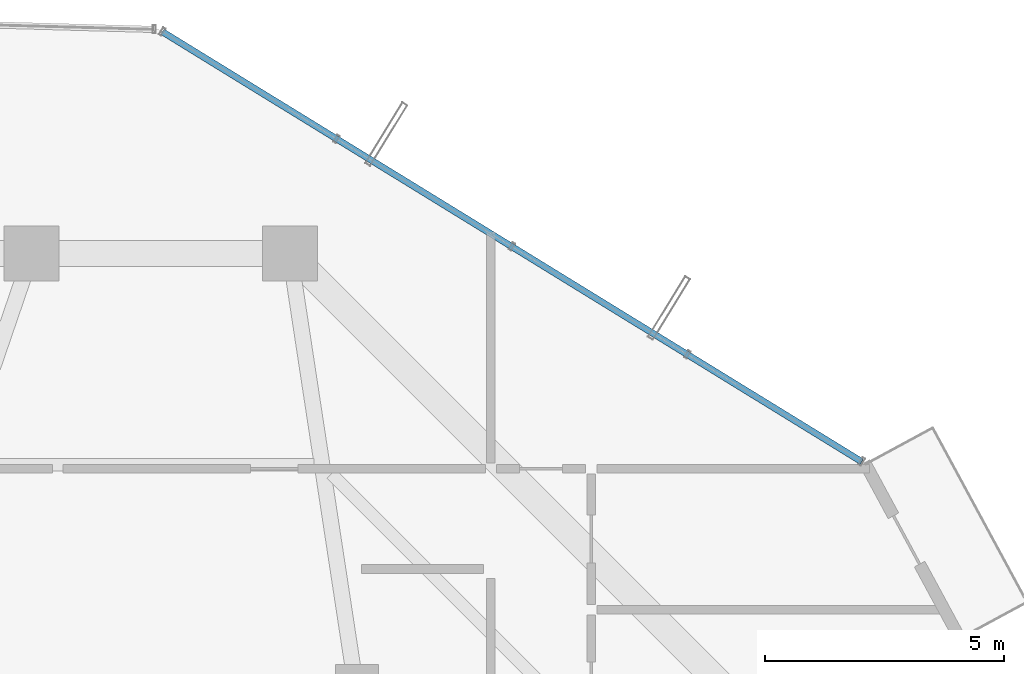
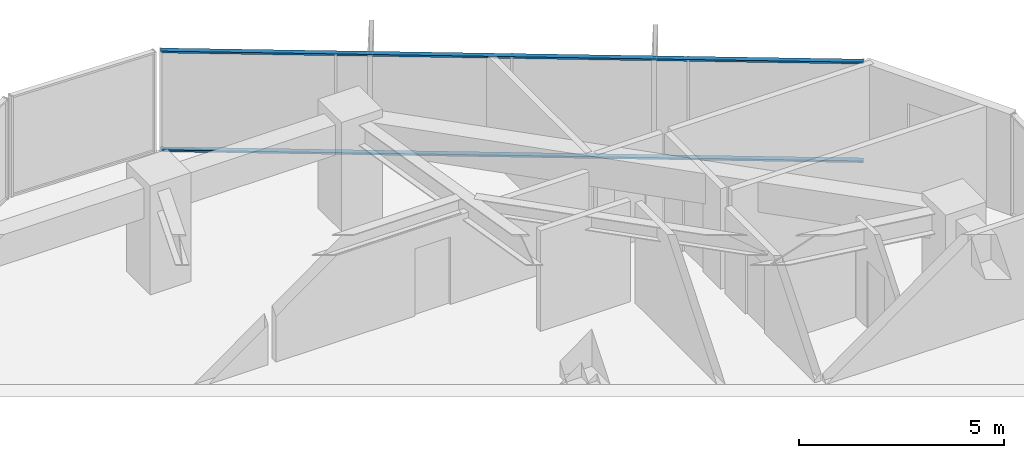
# One storey, part 22 of 30: 2 members, 1 element without a shape of its own.
"""IFC4 building model written with IfcOpenShell, lengths in metres."""

from ifc_helpers import new_model, si_unit, direction, frame, origin, origin_2d, place, context, subcontext, project, spatial, hollow_rectangle, extrude, source, transform, mapped, material, layer, layer_set, material_profile, profile_set, type_object, element, aggregate, save


model = new_model("IFC4")

# Units and contexts
model_context = context("Model", 3, precision=1e-05, world=origin(), true_north=direction((0.0, 1.0)))
body_context = subcontext(model_context, "Body", "Model", "MODEL_VIEW")
ifc_project = project(units=[si_unit("LENGTHUNIT", "METRE"), si_unit("AREAUNIT", "SQUARE_METRE"), si_unit("VOLUMEUNIT", "CUBIC_METRE"), si_unit("PLANEANGLEUNIT", "RADIAN"), si_unit("MASSUNIT", "GRAM", prefix="KILO")], contexts=[model_context])

# Site, building, storey
site_placement = place(None, origin())
site = spatial("IfcSite", under=ifc_project, at=site_placement, CompositionType="ELEMENT")
building_placement = place(site_placement, origin())
building = spatial("IfcBuilding", under=site, at=building_placement, Name="Veraguas Prism Commons", CompositionType="ELEMENT")
storey_placement = place(building_placement, frame((0.0, 0.0, 123.0)))
storey = spatial("IfcBuildingStorey", under=building, at=storey_placement, Name="L34", CompositionType="ELEMENT", Elevation=123.0)

# Curtain wall, members
ifc_material = material(Name="Anodised aluminium EN AW-6063 T6", Category="aluminium")
ifc_layer = layer(ifc_material, 0.169921875, Name="Unitised Flush Curtain Wall Zone 2", Category="aluminium")
ifc_layer_set = layer_set([ifc_layer], Name="Anodised aluminium EN AW-6063 T6")
curtain_wall_type = type_object("IfcCurtainWallType", Name="Unitised Flush Curtain Wall Zone 2", PredefinedType="NOTDEFINED", material=ifc_layer_set)
curtain_wall_placement = place(storey_placement, origin())
curtain_wall = element("IfcCurtainWall", 1, at=curtain_wall_placement, inside=storey, type_object=curtain_wall_type, Name="Tower Facade Curtain Wall L34-F1", PredefinedType="NOTDEFINED")
ifc_material_profile = material_profile(ifc_material, hollow_rectangle(XDim=0.054931640625, YDim=0.135009765625, WallThickness=0.0029296875, at=origin_2d()), Name="AL55X135X3")
ifc_profile_set = profile_set([ifc_material_profile], Name="Anodised aluminium EN AW-6063 T6")
member_type = type_object("IfcMemberType", Name="Curtain Wall Transom Standard AL 55x135x3", PredefinedType="USERDEFINED", material=ifc_profile_set)
shared_shape = source(origin(), body_context, "Body", "SweptSolid", [
    extrude(hollow_rectangle(XDim=0.054931640625, YDim=0.135009765625, WallThickness=0.0029296875, at=origin_2d()), origin(), (0.0, 0.0, 1.0), 17.17431640625),
])
member_1_placement = place(storey_placement, frame((41.361083984375, 35.8447265625, 0.027587890625), z_axis=(-0.851904217499, 0.523697626696, 0.0), x_axis=(0.0, 0.0, 1.0)))
member_1 = element("IfcMember", 2, at=member_1_placement, type_object=member_type, Name="CW-Z2 Transom 1", ObjectType="TRANSOM", PredefinedType="USERDEFINED", context=body_context, shape_type="MappedRepresentation", body=[
    mapped(shared_shape, transform((0.0, 0.0, 0.0), scale=1.0)),
])
member_2_placement = place(storey_placement, frame((41.361083984375, 35.8447265625, 2.972412109375), z_axis=(-0.851904217499, 0.523697626696, 0.0), x_axis=(0.0, 0.0, 1.0)))
member_2 = element("IfcMember", 3, at=member_2_placement, type_object=member_type, Name="CW-Z2 Transom 2", ObjectType="TRANSOM", PredefinedType="USERDEFINED", context=body_context, shape_type="MappedRepresentation", body=[
    mapped(shared_shape, transform((0.0, 0.0, 0.0), scale=1.0)),
])
aggregate(curtain_wall, [member_1, member_2])

save(model, "model.ifc")
